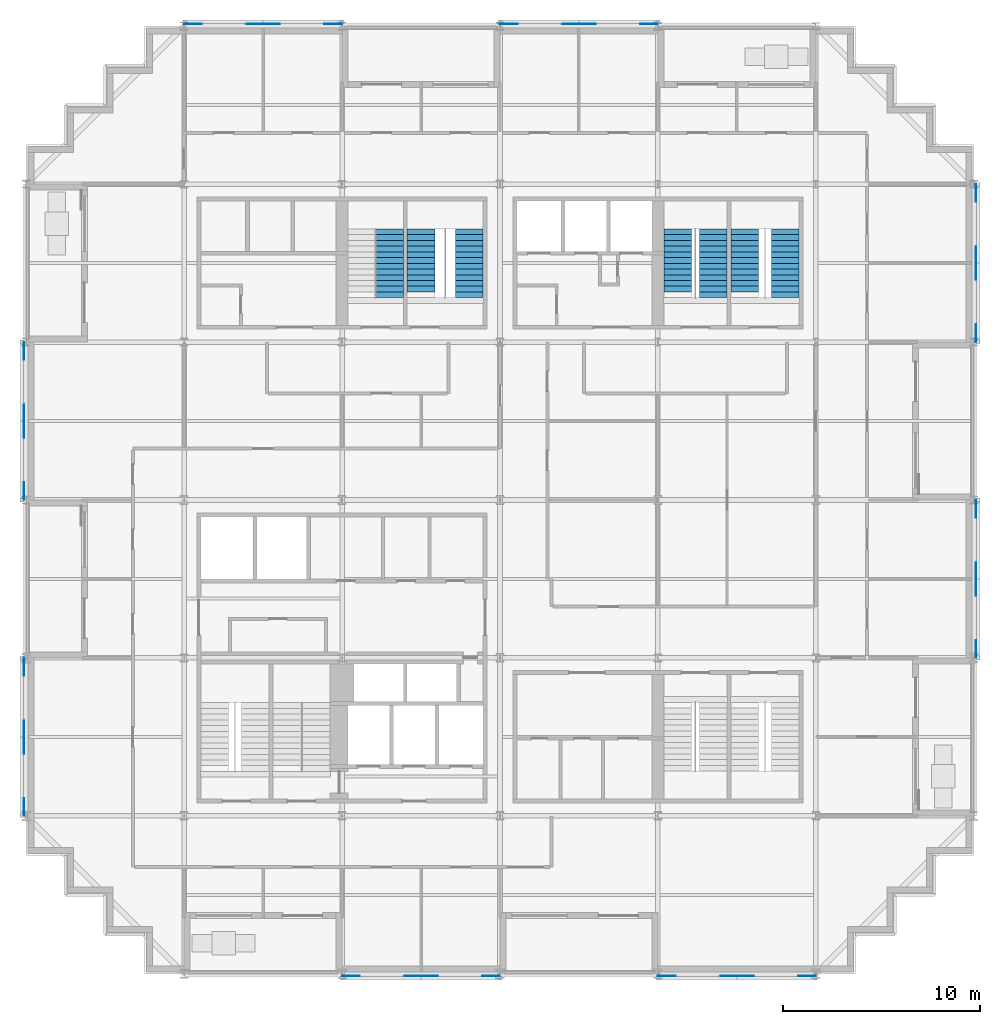
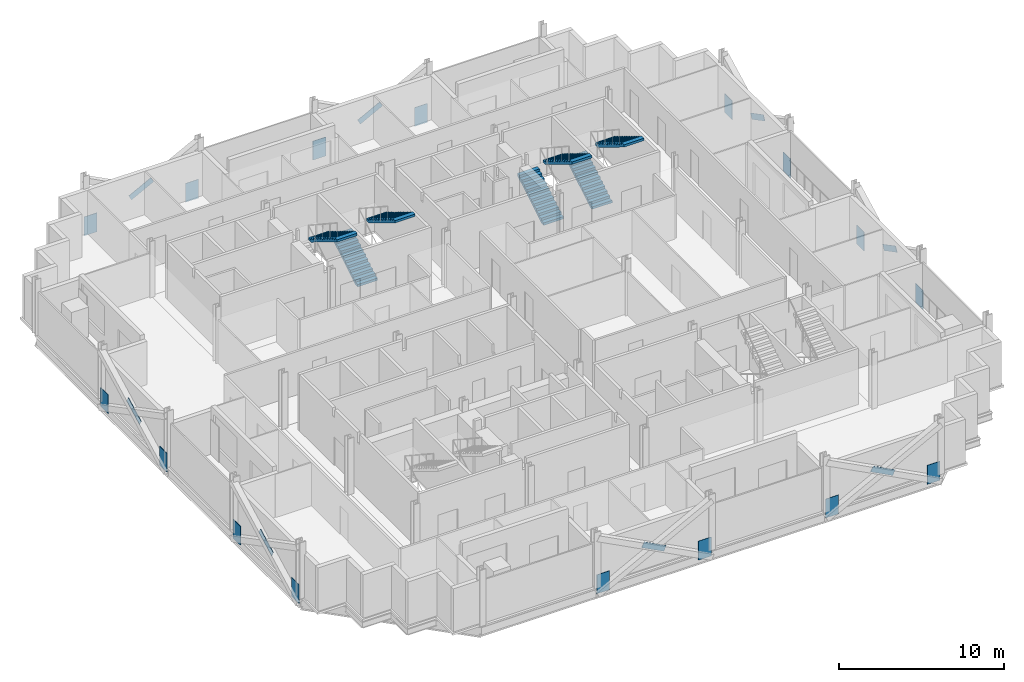
# One storey, part 12 of 15: 24 discrete accessories, 7 stair flights, 4 elements without a shape of their own.
"""IFC4 building model written with IfcOpenShell, lengths in metres."""

from ifc_helpers import new_model, si_unit, direction, frame, origin, origin_2d, place, context, subcontext, project, spatial, polyline, rectangle, outline, extrude, material, material_profile, profile_set, type_object, element, aggregate, save


model = new_model("IFC4")

# Units and contexts
model_context = context("Model", 3, precision=1e-05, world=origin(), true_north=direction((0.0, 1.0)))
body_context = subcontext(model_context, "Body", "Model", "MODEL_VIEW")
ifc_project = project(units=[si_unit("LENGTHUNIT", "METRE"), si_unit("AREAUNIT", "SQUARE_METRE"), si_unit("VOLUMEUNIT", "CUBIC_METRE"), si_unit("PLANEANGLEUNIT", "RADIAN"), si_unit("MASSUNIT", "GRAM", prefix="KILO")], contexts=[model_context])

# Site, building, storey
site_placement = place(None, origin())
site = spatial("IfcSite", under=ifc_project, at=site_placement, CompositionType="ELEMENT")
building_placement = place(site_placement, origin())
building = spatial("IfcBuilding", under=site, at=building_placement, Name="Immortelle Media Tower", CompositionType="ELEMENT")
storey_placement = place(building_placement, frame((0.0, 0.0, 109.60009765625)))
storey = spatial("IfcBuildingStorey", under=building, at=storey_placement, Name="L21", CompositionType="ELEMENT", Elevation=109.60009765625)

# Stair, stair flight
ifc_material_1 = material(Name="Steel ASTM A992 Gr 50", Category="steel")
stair_type = type_object("IfcStairType", Name="Stair with flights", PredefinedType="DOUBLE_RETURN_STAIR", material=ifc_material_1)
stair_1_placement = place(storey_placement, origin())
stair_1 = element("IfcStair", 1, at=stair_1_placement, inside=storey, type_object=stair_type, Name="Exit stair NW1", PredefinedType="DOUBLE_RETURN_STAIR")
stair_flight_type = type_object("IfcStairFlightType", Name="Stair flight 1400", PredefinedType="STRAIGHT", material=ifc_material_1)
stair_flight_1_placement = place(storey_placement, frame((18.39990234375, 37.72998046875, 2.11181640625), z_axis=(0.0, 0.0, 1.0), x_axis=(0.0, -1.0, 0.0)))
stair_flight_1 = element("IfcStairFlight", 2, at=stair_flight_1_placement, type_object=stair_flight_type, Name="ST NW1 flight 2", NumberOfRisers=13, NumberOfTreads=12, PredefinedType="STRAIGHT", RiserHeight=0.176, TreadLength=0.29, context=body_context, shape_type="SweptSolid", body=[
    extrude(outline(polyline([(0.0, 0.0), (0.0, 0.176025390625), (0.2900390625, 0.176025390625), (0.2900390625, 0.35205078125), (0.580078125, 0.35205078125), (0.580078125, 0.528076171875), (0.8701171875, 0.528076171875), (0.8701171875, 0.7041015625), (1.159912109375, 0.7041015625), (1.159912109375, 0.8798828125), (1.449951171875, 0.8798828125), (1.449951171875, 1.055908203125), (1.739990234375, 1.055908203125), (1.739990234375, 1.23193359375), (2.030029296875, 1.23193359375), (2.030029296875, 1.407958984375), (2.320068359375, 1.407958984375), (2.320068359375, 1.583984375), (2.610107421875, 1.583984375), (2.610107421875, 1.760009765625), (2.89990234375, 1.760009765625), (2.89990234375, 1.93603515625), (3.18994140625, 1.93603515625), (3.18994140625, 2.112060546875), (3.47998046875, 2.112060546875), (3.47998046875, 2.2880859375), (3.47998046875, 1.936767578125), (0.288818359375, 0.0), (0.0, 0.0)])), frame((0.0, 0.699951171875, 0.0), z_axis=(0.0, -1.0, 0.0), x_axis=(1.0, 0.0, 0.0)), (0.0, 0.0, 1.0), 1.39990234375),
])
aggregate(stair_1, [stair_flight_1])

# Stair, stair flights
stair_2_placement = place(storey_placement, origin())
stair_2 = element("IfcStair", 3, at=stair_2_placement, inside=storey, type_object=stair_type, Name="Exit stair NW2", PredefinedType="DOUBLE_RETURN_STAIR")
stair_flight_2_placement = place(storey_placement, frame((20.0, 34.5400390625, 0.0), z_axis=(0.0, 0.0, 1.0), x_axis=(0.0, 1.0, 0.0)))
stair_flight_2 = element("IfcStairFlight", 4, at=stair_flight_2_placement, type_object=stair_flight_type, Name="ST NW2 flight 1", NumberOfRisers=12, NumberOfTreads=11, PredefinedType="STRAIGHT", RiserHeight=0.176, TreadLength=0.29, context=body_context, shape_type="SweptSolid", body=[
    extrude(outline(polyline([(0.0, 0.0), (0.0, 0.176025390625), (0.2900390625, 0.176025390625), (0.2900390625, 0.35205078125), (0.580078125, 0.35205078125), (0.580078125, 0.528076171875), (0.8701171875, 0.528076171875), (0.8701171875, 0.7041015625), (1.159912109375, 0.7041015625), (1.159912109375, 0.8798828125), (1.449951171875, 0.8798828125), (1.449951171875, 1.055908203125), (1.739990234375, 1.055908203125), (1.739990234375, 1.23193359375), (2.030029296875, 1.23193359375), (2.030029296875, 1.407958984375), (2.320068359375, 1.407958984375), (2.320068359375, 1.583984375), (2.610107421875, 1.583984375), (2.610107421875, 1.760009765625), (2.89990234375, 1.760009765625), (2.89990234375, 1.93603515625), (3.18994140625, 1.93603515625), (3.18994140625, 2.112060546875), (3.18994140625, 1.7607421875), (0.288818359375, 0.0), (0.0, 0.0)])), frame((0.0, 0.699951171875, 0.0), z_axis=(0.0, -1.0, 0.0), x_axis=(1.0, 0.0, 0.0)), (0.0, 0.0, 1.0), 1.39990234375),
])
stair_flight_3_placement = place(storey_placement, frame((22.449951171875, 37.72998046875, 2.11181640625), z_axis=(0.0, 0.0, 1.0), x_axis=(0.0, -1.0, 0.0)))
stair_flight_3 = element("IfcStairFlight", 5, at=stair_flight_3_placement, type_object=stair_flight_type, Name="ST NW2 flight 2", NumberOfRisers=13, NumberOfTreads=12, PredefinedType="STRAIGHT", RiserHeight=0.176, TreadLength=0.29, context=body_context, shape_type="SweptSolid", body=[
    extrude(outline(polyline([(0.0, 0.0), (0.0, 0.176025390625), (0.2900390625, 0.176025390625), (0.2900390625, 0.35205078125), (0.580078125, 0.35205078125), (0.580078125, 0.528076171875), (0.8701171875, 0.528076171875), (0.8701171875, 0.7041015625), (1.159912109375, 0.7041015625), (1.159912109375, 0.8798828125), (1.449951171875, 0.8798828125), (1.449951171875, 1.055908203125), (1.739990234375, 1.055908203125), (1.739990234375, 1.23193359375), (2.030029296875, 1.23193359375), (2.030029296875, 1.407958984375), (2.320068359375, 1.407958984375), (2.320068359375, 1.583984375), (2.610107421875, 1.583984375), (2.610107421875, 1.760009765625), (2.89990234375, 1.760009765625), (2.89990234375, 1.93603515625), (3.18994140625, 1.93603515625), (3.18994140625, 2.112060546875), (3.47998046875, 2.112060546875), (3.47998046875, 2.2880859375), (3.47998046875, 1.936767578125), (0.288818359375, 0.0), (0.0, 0.0)])), frame((0.0, 0.699951171875, 0.0), z_axis=(0.0, -1.0, 0.0), x_axis=(1.0, 0.0, 0.0)), (0.0, 0.0, 1.0), 1.39990234375),
])
aggregate(stair_2, [stair_flight_2, stair_flight_3])

stair_3_placement = place(storey_placement, origin())
stair_3 = element("IfcStair", 6, at=stair_3_placement, inside=storey, type_object=stair_type, Name="Exit stair NE1", PredefinedType="DOUBLE_RETURN_STAIR")
stair_flight_4_placement = place(storey_placement, frame((33.0, 34.5400390625, 0.0), z_axis=(0.0, 0.0, 1.0), x_axis=(0.0, 1.0, 0.0)))
stair_flight_4 = element("IfcStairFlight", 7, at=stair_flight_4_placement, type_object=stair_flight_type, Name="ST NE1 flight 1", NumberOfRisers=12, NumberOfTreads=11, PredefinedType="STRAIGHT", RiserHeight=0.176, TreadLength=0.29, context=body_context, shape_type="SweptSolid", body=[
    extrude(outline(polyline([(0.0, 0.0), (0.0, 0.176025390625), (0.2900390625, 0.176025390625), (0.2900390625, 0.35205078125), (0.580078125, 0.35205078125), (0.580078125, 0.528076171875), (0.8701171875, 0.528076171875), (0.8701171875, 0.7041015625), (1.159912109375, 0.7041015625), (1.159912109375, 0.8798828125), (1.449951171875, 0.8798828125), (1.449951171875, 1.055908203125), (1.739990234375, 1.055908203125), (1.739990234375, 1.23193359375), (2.030029296875, 1.23193359375), (2.030029296875, 1.407958984375), (2.320068359375, 1.407958984375), (2.320068359375, 1.583984375), (2.610107421875, 1.583984375), (2.610107421875, 1.760009765625), (2.89990234375, 1.760009765625), (2.89990234375, 1.93603515625), (3.18994140625, 1.93603515625), (3.18994140625, 2.112060546875), (3.18994140625, 1.7607421875), (0.288818359375, 0.0), (0.0, 0.0)])), frame((0.0, 0.699951171875, 0.0), z_axis=(0.0, -1.0, 0.0), x_axis=(1.0, 0.0, 0.0)), (0.0, 0.0, 1.0), 1.39990234375),
])
stair_flight_5_placement = place(storey_placement, frame((34.800048828125, 37.72998046875, 2.11181640625), z_axis=(0.0, 0.0, 1.0), x_axis=(0.0, -1.0, 0.0)))
stair_flight_5 = element("IfcStairFlight", 8, at=stair_flight_5_placement, type_object=stair_flight_type, Name="ST NE1 flight 2", NumberOfRisers=13, NumberOfTreads=12, PredefinedType="STRAIGHT", RiserHeight=0.176, TreadLength=0.29, context=body_context, shape_type="SweptSolid", body=[
    extrude(outline(polyline([(0.0, 0.0), (0.0, 0.176025390625), (0.2900390625, 0.176025390625), (0.2900390625, 0.35205078125), (0.580078125, 0.35205078125), (0.580078125, 0.528076171875), (0.8701171875, 0.528076171875), (0.8701171875, 0.7041015625), (1.159912109375, 0.7041015625), (1.159912109375, 0.8798828125), (1.449951171875, 0.8798828125), (1.449951171875, 1.055908203125), (1.739990234375, 1.055908203125), (1.739990234375, 1.23193359375), (2.030029296875, 1.23193359375), (2.030029296875, 1.407958984375), (2.320068359375, 1.407958984375), (2.320068359375, 1.583984375), (2.610107421875, 1.583984375), (2.610107421875, 1.760009765625), (2.89990234375, 1.760009765625), (2.89990234375, 1.93603515625), (3.18994140625, 1.93603515625), (3.18994140625, 2.112060546875), (3.47998046875, 2.112060546875), (3.47998046875, 2.2880859375), (3.47998046875, 1.936767578125), (0.288818359375, 0.0), (0.0, 0.0)])), frame((0.0, 0.699951171875, 0.0), z_axis=(0.0, -1.0, 0.0), x_axis=(1.0, 0.0, 0.0)), (0.0, 0.0, 1.0), 1.39990234375),
])
aggregate(stair_3, [stair_flight_4, stair_flight_5])

stair_4_placement = place(storey_placement, origin())
stair_4 = element("IfcStair", 9, at=stair_4_placement, inside=storey, type_object=stair_type, Name="Exit stair NE2", PredefinedType="DOUBLE_RETURN_STAIR")
stair_flight_6_placement = place(storey_placement, frame((36.39990234375, 34.5400390625, 0.0), z_axis=(0.0, 0.0, 1.0), x_axis=(0.0, 1.0, 0.0)))
stair_flight_6 = element("IfcStairFlight", 10, at=stair_flight_6_placement, type_object=stair_flight_type, Name="ST NE2 flight 1", NumberOfRisers=12, NumberOfTreads=11, PredefinedType="STRAIGHT", RiserHeight=0.176, TreadLength=0.29, context=body_context, shape_type="SweptSolid", body=[
    extrude(outline(polyline([(0.0, 0.0), (0.0, 0.176025390625), (0.2900390625, 0.176025390625), (0.2900390625, 0.35205078125), (0.580078125, 0.35205078125), (0.580078125, 0.528076171875), (0.8701171875, 0.528076171875), (0.8701171875, 0.7041015625), (1.159912109375, 0.7041015625), (1.159912109375, 0.8798828125), (1.449951171875, 0.8798828125), (1.449951171875, 1.055908203125), (1.739990234375, 1.055908203125), (1.739990234375, 1.23193359375), (2.030029296875, 1.23193359375), (2.030029296875, 1.407958984375), (2.320068359375, 1.407958984375), (2.320068359375, 1.583984375), (2.610107421875, 1.583984375), (2.610107421875, 1.760009765625), (2.89990234375, 1.760009765625), (2.89990234375, 1.93603515625), (3.18994140625, 1.93603515625), (3.18994140625, 2.112060546875), (3.18994140625, 1.7607421875), (0.288818359375, 0.0), (0.0, 0.0)])), frame((0.0, 0.699951171875, 0.0), z_axis=(0.0, -1.0, 0.0), x_axis=(1.0, 0.0, 0.0)), (0.0, 0.0, 1.0), 1.39990234375),
])
stair_flight_7_placement = place(storey_placement, frame((38.449951171875, 37.72998046875, 2.11181640625), z_axis=(0.0, 0.0, 1.0), x_axis=(0.0, -1.0, 0.0)))
stair_flight_7 = element("IfcStairFlight", 11, at=stair_flight_7_placement, type_object=stair_flight_type, Name="ST NE2 flight 2", NumberOfRisers=13, NumberOfTreads=12, PredefinedType="STRAIGHT", RiserHeight=0.176, TreadLength=0.29, context=body_context, shape_type="SweptSolid", body=[
    extrude(outline(polyline([(0.0, 0.0), (0.0, 0.176025390625), (0.2900390625, 0.176025390625), (0.2900390625, 0.35205078125), (0.580078125, 0.35205078125), (0.580078125, 0.528076171875), (0.8701171875, 0.528076171875), (0.8701171875, 0.7041015625), (1.159912109375, 0.7041015625), (1.159912109375, 0.8798828125), (1.449951171875, 0.8798828125), (1.449951171875, 1.055908203125), (1.739990234375, 1.055908203125), (1.739990234375, 1.23193359375), (2.030029296875, 1.23193359375), (2.030029296875, 1.407958984375), (2.320068359375, 1.407958984375), (2.320068359375, 1.583984375), (2.610107421875, 1.583984375), (2.610107421875, 1.760009765625), (2.89990234375, 1.760009765625), (2.89990234375, 1.93603515625), (3.18994140625, 1.93603515625), (3.18994140625, 2.112060546875), (3.47998046875, 2.112060546875), (3.47998046875, 2.2880859375), (3.47998046875, 1.936767578125), (0.288818359375, 0.0), (0.0, 0.0)])), frame((0.0, 0.699951171875, 0.0), z_axis=(0.0, -1.0, 0.0), x_axis=(1.0, 0.0, 0.0)), (0.0, 0.0, 1.0), 1.39990234375),
])
aggregate(stair_4, [stair_flight_6, stair_flight_7])

# Discrete accessories
ifc_material_2 = material(Name="Steel ASTM A572 Gr 50", Category="steel")
ifc_material_profile_1 = material_profile(ifc_material_2, rectangle(XDim=0.031982421875, YDim=0.406005859375, at=origin_2d()), Name="PL 32 x 406")
ifc_profile_set_1 = profile_set([ifc_material_profile_1], Name="Steel ASTM A572 Gr 50")
discrete_accessory_type_1 = type_object("IfcDiscreteAccessoryType", Name="Crossing plate XP-BR3 1750 x 406 x 32", PredefinedType="USERDEFINED", material=ifc_profile_set_1)
for number, where, z_axis, x_axis, name in (
    (12, (-0.113037109375, 28.775390625, 2.000244140625), (0.0, -0.886188992287, -0.463323936301), (1.0, 0.0, 0.0), "Crossing plate XP-BR3 of Brace 1/D-E A and Brace 1/D-E B"),
    (13, (-0.113037109375, 12.775390625, 2.000244140625), (0.0, -0.886188992287, -0.463323936301), (1.0, 0.0, 0.0), "Crossing plate XP-BR3 of Brace 1/B-C A and Brace 1/B-C B"),
    (14, (48.113037109375, 19.224609375, 2.000244140625), (0.0, 0.886188992287, -0.463323936301), (-1.0, 0.0, 0.0), "Crossing plate XP-BR3 of Brace 7/C-D A and Brace 7/C-D B"),
    (15, (48.113037109375, 35.224609375, 2.000244140625), (0.0, 0.886188992287, -0.463323936301), (-1.0, 0.0, 0.0), "Crossing plate XP-BR3 of Brace 7/E-F A and Brace 7/E-F B"),
    (16, (28.775390625, 48.113037109375, 2.000244140625), (-0.886188992287, 0.0, -0.463323936301), (0.0, -1.0, 0.0), "Crossing plate XP-BR3 of Brace G/4-5 A and Brace G/4-5 B"),
    (17, (12.775390625, 48.113037109375, 2.000244140625), (-0.886188992287, 0.0, -0.463323936301), (0.0, -1.0, 0.0), "Crossing plate XP-BR3 of Brace G/2-3 A and Brace G/2-3 B"),
    (18, (19.224609375, -0.113037109375, 2.000244140625), (0.886188992287, 0.0, -0.463323936301), (0.0, 1.0, 0.0), "Crossing plate XP-BR3 of Brace A/3-4 A and Brace A/3-4 B"),
    (19, (35.224609375, -0.113037109375, 2.000244140625), (0.886188992287, 0.0, -0.463323936301), (0.0, 1.0, 0.0), "Crossing plate XP-BR3 of Brace A/5-6 A and Brace A/5-6 B"),
):
    element("IfcDiscreteAccessory", number, at=place(storey_placement, frame(where, z_axis=z_axis, x_axis=x_axis)), inside=storey, type_object=discrete_accessory_type_1, Name=name, ObjectType="CROSSING PLATE", PredefinedType="USERDEFINED", context=body_context, shape_type="SweptSolid", body=[
        extrude(rectangle(XDim=0.031982421875, YDim=0.406005859375, at=origin_2d()), origin(), (0.0, 0.0, 1.0), 1.75),
    ])
ifc_material_profile_2 = material_profile(ifc_material_2, rectangle(XDim=0.031982421875, YDim=1.39990234375, at=origin_2d()), Name="PL 32 x 1400")
ifc_profile_set_2 = profile_set([ifc_material_profile_2], Name="Steel ASTM A572 Gr 50")
discrete_accessory_type_2 = type_object("IfcDiscreteAccessoryType", Name="Gusset plate GP1 900 x 1400 x 32", PredefinedType="USERDEFINED", material=ifc_profile_set_2)
for number, where, z_axis, x_axis, name in (
    (20, (-0.113037109375, 32.0, 0.203369140625), (0.0, -1.0, 0.0), (1.0, 0.0, 0.0), "Gusset plate GP1, lower end of Brace 1/D-E A"),
    (21, (-0.113037109375, 24.0, 0.203369140625), (0.0, 1.0, 0.0), (-1.0, 0.0, 0.0), "Gusset plate GP1, lower end of Brace 1/D-E B"),
    (22, (-0.113037109375, 16.0, 0.203369140625), (0.0, -1.0, 0.0), (1.0, 0.0, 0.0), "Gusset plate GP1, lower end of Brace 1/B-C A"),
    (23, (-0.113037109375, 8.0, 0.203369140625), (0.0, 1.0, 0.0), (-1.0, 0.0, 0.0), "Gusset plate GP1, lower end of Brace 1/B-C B"),
    (24, (16.0, -0.113037109375, 0.203369140625), (1.0, 0.0, 0.0), (0.0, 1.0, 0.0), "Gusset plate GP1, lower end of Brace A/3-4 A"),
    (25, (24.0, -0.113037109375, 0.203369140625), (-1.0, 0.0, 0.0), (0.0, -1.0, 0.0), "Gusset plate GP1, lower end of Brace A/3-4 B"),
    (26, (32.0, -0.113037109375, 0.203369140625), (1.0, 0.0, 0.0), (0.0, 1.0, 0.0), "Gusset plate GP1, lower end of Brace A/5-6 A"),
    (27, (40.0, -0.113037109375, 0.203369140625), (-1.0, 0.0, 0.0), (0.0, -1.0, 0.0), "Gusset plate GP1, lower end of Brace A/5-6 B"),
    (28, (48.113037109375, 16.0, 0.203369140625), (0.0, 1.0, 0.0), (-1.0, 0.0, 0.0), "Gusset plate GP1, lower end of Brace 7/C-D A"),
    (29, (48.113037109375, 24.0, 0.203369140625), (0.0, -1.0, 0.0), (1.0, 0.0, 0.0), "Gusset plate GP1, lower end of Brace 7/C-D B"),
    (30, (48.113037109375, 32.0, 0.203369140625), (0.0, 1.0, 0.0), (-1.0, 0.0, 0.0), "Gusset plate GP1, lower end of Brace 7/E-F A"),
    (31, (48.113037109375, 40.0, 0.203369140625), (0.0, -1.0, 0.0), (1.0, 0.0, 0.0), "Gusset plate GP1, lower end of Brace 7/E-F B"),
    (32, (32.0, 48.113037109375, 0.203369140625), (-1.0, 0.0, 0.0), (0.0, -1.0, 0.0), "Gusset plate GP1, lower end of Brace G/4-5 A"),
    (33, (24.0, 48.113037109375, 0.203369140625), (1.0, 0.0, 0.0), (0.0, 1.0, 0.0), "Gusset plate GP1, lower end of Brace G/4-5 B"),
    (34, (16.0, 48.113037109375, 0.203369140625), (-1.0, 0.0, 0.0), (0.0, -1.0, 0.0), "Gusset plate GP1, lower end of Brace G/2-3 A"),
    (35, (8.0, 48.113037109375, 0.203369140625), (1.0, 0.0, 0.0), (0.0, 1.0, 0.0), "Gusset plate GP1, lower end of Brace G/2-3 B"),
):
    element("IfcDiscreteAccessory", number, at=place(storey_placement, frame(where, z_axis=z_axis, x_axis=x_axis)), inside=storey, type_object=discrete_accessory_type_2, Name=name, ObjectType="GUSSET PLATE", PredefinedType="USERDEFINED", context=body_context, shape_type="SweptSolid", body=[
        extrude(rectangle(XDim=0.031982421875, YDim=1.39990234375, at=origin_2d()), origin(), (0.0, 0.0, 1.0), 0.89990234375),
    ])

save(model, "model.ifc")
